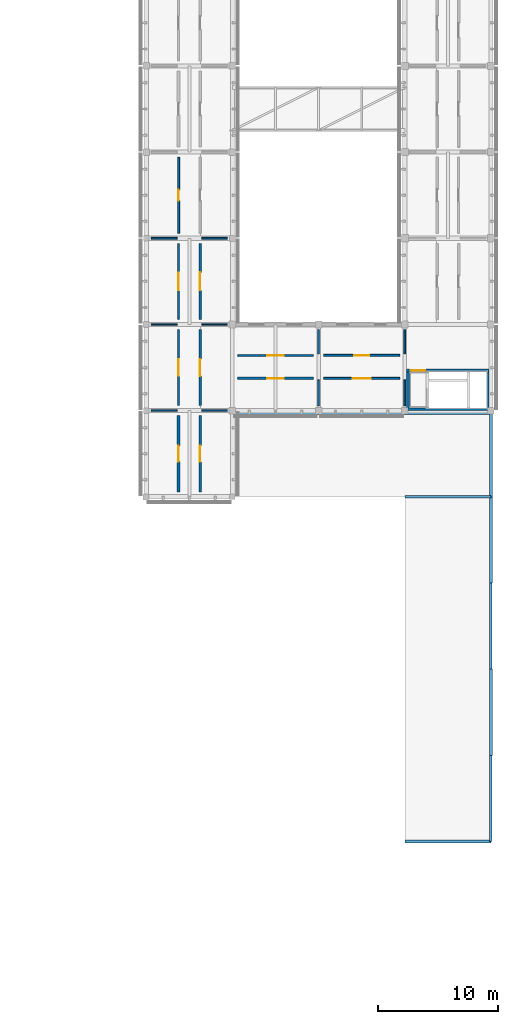
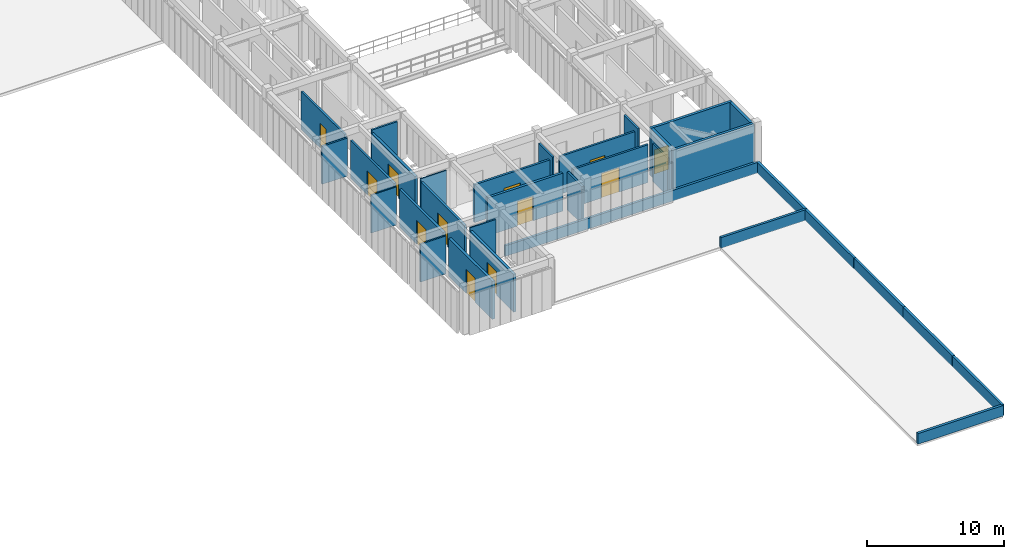
# One storey, part 78 of 91: 33 walls, 12 doors, 12 openings.
"""IFC4 building model written with IfcOpenShell, lengths in metres."""

import ifcopenshell
import ifcopenshell.guid

model = None  # the IFC model being written
_history = None  # IfcOwnerHistory: only IFC2X3 demands one
_inside = {}  # id of a spatial element -> (the spatial element, [elements in it])
_under = {}  # id of a project, library or spatial element -> (it, [spatial elements below it])
_declared = {}  # id of a project -> (the project, [libraries it declares])
_typed = {}  # id of a type object -> (the type object, [elements of that type])
_made_of = {}  # id of a material, layer set ... -> (it, [elements and type objects made of it])


def new_model(schema):
    """Start an empty IFC model of exactly this schema.

    Asked for "IFC4X3", IfcOpenShell would pick the latest addendum, in which some entities
    have other attributes; the version numbers below select the first issue.
    IFC2X3 requires an IfcOwnerHistory on every rooted entity: one is made here for all.
    """
    global model, _history
    if schema == "IFC4X3":
        model = ifcopenshell.file(schema_version=(4, 3, 0, 0))
    else:
        model = ifcopenshell.file(schema=schema)
    _inside.clear()
    _under.clear()
    _declared.clear()
    _typed.clear()
    _made_of.clear()
    _history = None
    if model.schema == "IFC2X3":
        org = make("IfcOrganization", Name="unknown")
        user = make(
            "IfcPersonAndOrganization",
            ThePerson=make("IfcPerson", FamilyName="unknown"),
            TheOrganization=org,
        )
        app = make(
            "IfcApplication",
            ApplicationDeveloper=org,
            Version="unknown",
            ApplicationFullName="unknown",
            ApplicationIdentifier="unknown",
        )
        _history = make(
            "IfcOwnerHistory",
            OwningUser=user,
            OwningApplication=app,
            ChangeAction="ADDED",
            CreationDate=0,
        )
    return model


def make(cls, **values):
    """One entity of the class cls with the attributes given. An attribute that is None is left unset."""
    return model.create_entity(
        cls, **{name: value for name, value in values.items() if value is not None}
    )


def rooted(cls, **values):
    """An entity with a GlobalId (a new one), such as an element, a storey or a relation."""
    return make(cls, GlobalId=ifcopenshell.guid.new(), OwnerHistory=_history, **values)


def si_unit(unit_type, name, prefix=None):
    """IfcSIUnit, for example si_unit("LENGTHUNIT", "METRE", prefix="MILLI")."""
    return make("IfcSIUnit", UnitType=unit_type, Prefix=prefix, Name=name)


def assignment(units):
    """IfcUnitAssignment: the units of a project."""
    return None if units is None else make("IfcUnitAssignment", Units=units)


def point(xyz):
    """IfcCartesianPoint."""
    return None if xyz is None else make("IfcCartesianPoint", Coordinates=xyz)


def direction(xyz):
    """IfcDirection."""
    return None if xyz is None else make("IfcDirection", DirectionRatios=xyz)


def frame(location, z_axis=None, x_axis=None):
    """IfcAxis2Placement3D, a coordinate frame: its origin and axes. An axis left out is left unset."""
    return make(
        "IfcAxis2Placement3D",
        Location=point(location),
        Axis=direction(z_axis),
        RefDirection=direction(x_axis),
    )


def frame_2d(location, x_axis=None):
    """IfcAxis2Placement2D, a coordinate frame in the plane: its origin and x axis."""
    return make(
        "IfcAxis2Placement2D", Location=point(location), RefDirection=direction(x_axis)
    )


def origin():
    """The frame at (0, 0, 0) with its axes left unset."""
    return frame((0.0, 0.0, 0.0))


def place(relative_to, where):
    """IfcLocalPlacement: puts the frame where relative to a parent placement (None: the world)."""
    return make(
        "IfcLocalPlacement", PlacementRelTo=relative_to, RelativePlacement=where
    )


def context(
    kind, dimensions, precision=None, world=None, true_north=None, identifier=None
):
    """IfcGeometricRepresentationContext, for example the 3D "Model" context."""
    return make(
        "IfcGeometricRepresentationContext",
        ContextIdentifier=identifier,
        ContextType=kind,
        CoordinateSpaceDimension=dimensions,
        Precision=precision,
        WorldCoordinateSystem=world,
        TrueNorth=true_north,
    )


def subcontext(parent, identifier, kind, view, scale=None):
    """IfcGeometricRepresentationSubContext, for example "Body" below "Model"."""
    return make(
        "IfcGeometricRepresentationSubContext",
        ContextIdentifier=identifier,
        ContextType=kind,
        ParentContext=parent,
        TargetScale=scale,
        TargetView=view,
    )


def project(units=None, contexts=None):
    """IfcProject with its units and contexts."""
    return rooted(
        "IfcProject",
        Name="project",
        RepresentationContexts=contexts,
        UnitsInContext=assignment(units),
    )


def spatial(cls, under=None, at=None, **own):
    """A site, building, storey or space (cls), placed at a placement, below another one or the project."""
    s = rooted(cls, ObjectPlacement=at, **own)
    if under is not None:
        _under.setdefault(under.id(), (under, []))[1].append(s)
    return s


def profile(cls, at=None, kind="AREA", **sizes):
    """A parametric profile (cls). Its sizes go by their IFC names, for example OverallWidth=200.0."""
    return make(cls, ProfileType=kind, Position=at, **sizes)


def rectangle(**sizes):
    """IfcRectangleProfileDef."""
    return profile("IfcRectangleProfileDef", **sizes)


def extrude(swept, where, along, depth):
    """IfcExtrudedAreaSolid: the profile swept, set in the frame where, extruded along a direction by depth."""
    return make(
        "IfcExtrudedAreaSolid",
        SweptArea=swept,
        Position=where,
        ExtrudedDirection=direction(along),
        Depth=depth,
    )


def shape(context_of_items, identifier, shape_type, items):
    """IfcShapeRepresentation: the items that make up one representation, for example the "Body"."""
    return make(
        "IfcShapeRepresentation",
        ContextOfItems=context_of_items,
        RepresentationIdentifier=identifier,
        RepresentationType=shape_type,
        Items=items,
    )


def material(Name=None, Category=None):
    """IfcMaterial."""
    return make("IfcMaterial", Name=Name, Category=Category)


def layer(
    of_material, thickness, ventilated=None, Name=None, Category=None, Priority=None
):
    """IfcMaterialLayer: one layer of a wall or slab, of a material (None: an air gap)."""
    return make(
        "IfcMaterialLayer",
        Material=of_material,
        LayerThickness=thickness,
        IsVentilated=ventilated,
        Name=Name,
        Category=Category,
        Priority=Priority,
    )


def layer_set(layers, Name=None):
    """IfcMaterialLayerSet."""
    return make("IfcMaterialLayerSet", MaterialLayers=layers, LayerSetName=Name)


def made_of(thing, what):
    """Note that an element or type object is made of a material, layer set ...; save() writes the relation."""
    if what is not None:
        _made_of.setdefault(what.id(), (what, []))[1].append(thing)
    return thing


def type_object(cls, material=None, **own):
    """A type object (cls), such as IfcWallType, which elements share."""
    return made_of(rooted(cls, **own), material)


def element(
    cls,
    number,
    at=None,
    inside=None,
    cuts=None,
    type_object=None,
    material=None,
    context=None,
    identifier="Body",
    shape_type=None,
    held_by="IfcProductDefinitionShape",
    body=None,
    shapes=None,
    **own,
):
    """One element of the class cls, such as IfcWall. Its Tag is "e" and its number.

    at: its placement. inside: the storey or other place that contains it. cuts: it is an
    opening in that element (IfcRelVoidsElement). A single representation is given by context,
    identifier, shape_type and body (its items); several are given by shapes. held_by: the class
    of the entity that holds the representations. save() writes the other relations.
    """
    e = rooted(cls, Tag="e%d" % number, ObjectPlacement=at, **own)
    if body is not None:
        shapes = [shape(context, identifier, shape_type, body)]
    if shapes is not None:
        e.Representation = make(held_by, Representations=shapes)
    if inside is not None:
        _inside.setdefault(inside.id(), (inside, []))[1].append(e)
    if cuts is not None:
        rooted(
            "IfcRelVoidsElement", RelatingBuildingElement=cuts, RelatedOpeningElement=e
        )
    if type_object is not None:
        _typed.setdefault(type_object.id(), (type_object, []))[1].append(e)
    return made_of(e, material)


def fill(opening, filler):
    """IfcRelFillsElement: the door or window that sits in an opening."""
    return rooted(
        "IfcRelFillsElement",
        RelatingOpeningElement=opening,
        RelatedBuildingElement=filler,
    )


def aggregate(whole, parts):
    """IfcRelAggregates: a whole, such as a stair, and the parts it consists of."""
    return rooted("IfcRelAggregates", RelatingObject=whole, RelatedObjects=parts)


def save(model, path):
    """Write the relations noted so far, then the file.

    IfcRelAggregates (storeys below a building ...), IfcRelContainedInSpatialStructure (elements
    in a storey), IfcRelDefinesByType, IfcRelAssociatesMaterial and IfcRelDeclares: one each for
    every whole, place, type object, material and project.
    """
    for whole, parts in _under.values():
        aggregate(whole, parts)
    for where, things in _inside.values():
        rooted(
            "IfcRelContainedInSpatialStructure",
            RelatedElements=things,
            RelatingStructure=where,
        )
    for kind, things in _typed.values():
        rooted("IfcRelDefinesByType", RelatedObjects=things, RelatingType=kind)
    for what, things in _made_of.values():
        rooted("IfcRelAssociatesMaterial", RelatedObjects=things, RelatingMaterial=what)
    for by, libraries in _declared.values():
        rooted("IfcRelDeclares", RelatingContext=by, RelatedDefinitions=libraries)
    model.write(path)


model = new_model("IFC4")

# Units and contexts
model_context = context("Model", 3, precision=1e-05, world=origin(), true_north=direction((0.0, 1.0)))
body_context = subcontext(model_context, "Body", "Model", "MODEL_VIEW")
ifc_project = project(units=[si_unit("LENGTHUNIT", "METRE"), si_unit("AREAUNIT", "SQUARE_METRE"), si_unit("VOLUMEUNIT", "CUBIC_METRE"), si_unit("PLANEANGLEUNIT", "RADIAN"), si_unit("MASSUNIT", "GRAM", prefix="KILO")], contexts=[model_context])

# Site, building, storey
site_placement = place(None, origin())
site = spatial("IfcSite", under=ifc_project, at=site_placement, CompositionType="ELEMENT")
building_placement = place(site_placement, origin())
building = spatial("IfcBuilding", under=site, at=building_placement, Name="Aldebral Square Health Centre", CompositionType="ELEMENT")
storey_placement = place(building_placement, frame((0.0, 0.0, 9.0)))
storey = spatial("IfcBuildingStorey", under=building, at=storey_placement, Name="L02", CompositionType="ELEMENT", Elevation=9.0)

# Walls
ifc_material_1 = material(Name="Cream cantera stone parapet", Category="masonry")
ifc_layer_1 = layer(ifc_material_1, 0.199951171875, Name="Cream cantera stone parapet", Category="masonry")
ifc_layer_set_1 = layer_set([ifc_layer_1], Name="Cream cantera stone parapet")
wall_type_1 = type_object("IfcWallType", Name="EW-PAR-200", PredefinedType="PARAPET", material=ifc_layer_set_1)
wall_1_placement = place(storey_placement, frame((158.39990234375, 50.39990234375, 0.0), z_axis=(0.0, 0.0, 1.0), x_axis=(1.0, 0.0, 0.0)))
element("IfcWall", 1, at=wall_1_placement, inside=storey, type_object=wall_type_1, Name="Roof parapet 01", PredefinedType="PARAPET", context=body_context, shape_type="SweptSolid", body=[
    extrude(rectangle(XDim=7.2001953125, YDim=0.199951171875, at=frame_2d((3.60009765625, 0.0))), origin(), (0.0, 0.0, 1.0), 0.949951171875),
])
for number, where, z_axis, x_axis, name in (
    (2, (165.60009765625, 43.199951171875, 0.0), (0.0, 0.0, 1.0), (0.0, -1.0, 0.0), "Roof parapet 03"),
    (3, (165.60009765625, 28.800048828125, 0.0), (0.0, 0.0, 1.0), (0.0, -1.0, 0.0), "Roof parapet 05"),
):
    element("IfcWall", number, at=place(storey_placement, frame(where, z_axis=z_axis, x_axis=x_axis)), inside=storey, type_object=wall_type_1, Name=name, PredefinedType="PARAPET", context=body_context, shape_type="SweptSolid", body=[
        extrude(rectangle(XDim=7.199951171875, YDim=0.199951171875, at=frame_2d((3.60009765625, 0.0))), origin(), (0.0, 0.0, 1.0), 0.949951171875),
    ])
wall_2_placement = place(storey_placement, frame((144.219970703125, 57.3798828125, 0.0), z_axis=(0.0, 0.0, 1.0), x_axis=(1.0, 0.0, 0.0)))
element("IfcWall", 4, at=wall_2_placement, inside=storey, type_object=wall_type_1, Name="Roof parapet 07", PredefinedType="PARAPET", context=body_context, shape_type="SweptSolid", body=[
    extrude(rectangle(XDim=21.380126953125, YDim=0.199951171875, at=frame_2d((10.68994140625, 0.0))), origin(), (0.0, 0.0, 1.0), 0.949951171875),
])
ifc_material_2 = material(Name="Precast concrete C40/50 parapet", Category="concrete")
ifc_layer_2 = layer(ifc_material_2, 0.219970703125, Name="Precast concrete C40/50 parapet", Category="concrete")
ifc_layer_set_2 = layer_set([ifc_layer_2], Name="Precast concrete C40/50 parapet")
wall_type_2 = type_object("IfcWallType", Name="EW-PAR-220", PredefinedType="PARAPET", material=ifc_layer_set_2)
for number, where, z_axis, x_axis, name in (
    (5, (165.60009765625, 50.39990234375, 0.0), (0.0, 0.0, 1.0), (0.0, -1.0, 0.0), "Roof parapet 02"),
    (6, (165.60009765625, 36.0, 0.0), (0.0, 0.0, 1.0), (0.0, -1.0, 0.0), "Roof parapet 04"),
):
    element("IfcWall", number, at=place(storey_placement, frame(where, z_axis=z_axis, x_axis=x_axis)), inside=storey, type_object=wall_type_2, Name=name, PredefinedType="PARAPET", context=body_context, shape_type="SweptSolid", body=[
        extrude(rectangle(XDim=7.199951171875, YDim=0.219970703125, at=frame_2d((3.60009765625, 0.0))), origin(), (0.0, 0.0, 1.0), 0.949951171875),
    ])
wall_3_placement = place(storey_placement, frame((165.60009765625, 21.60009765625, 0.0), z_axis=(0.0, 0.0, 1.0), x_axis=(-1.0, 0.0, 0.0)))
element("IfcWall", 7, at=wall_3_placement, inside=storey, type_object=wall_type_2, Name="Roof parapet 06", PredefinedType="PARAPET", context=body_context, shape_type="SweptSolid", body=[
    extrude(rectangle(XDim=7.2001953125, YDim=0.219970703125, at=frame_2d((3.60009765625, 0.0))), origin(), (0.0, 0.0, 1.0), 0.949951171875),
])
wall_4_placement = place(storey_placement, frame((165.60009765625, 57.3798828125, 0.0), z_axis=(0.0, 0.0, 1.0), x_axis=(0.0, -1.0, 0.0)))
element("IfcWall", 8, at=wall_4_placement, inside=storey, type_object=wall_type_2, Name="Roof parapet 08", PredefinedType="PARAPET", context=body_context, shape_type="SweptSolid", body=[
    extrude(rectangle(XDim=6.97998046875, YDim=0.219970703125, at=frame_2d((3.489990234375, 0.0))), origin(), (0.0, 0.0, 1.0), 0.949951171875),
])

# Wall, opening, door
ifc_material_3 = material(Name="Concrete C35/45 compartment wall", Category="concrete")
ifc_layer_3 = layer(ifc_material_3, 0.199951171875, Name="Concrete C35/45 compartment wall", Category="concrete")
ifc_layer_set_3 = layer_set([ifc_layer_3], Name="Concrete C35/45 compartment wall")
wall_type_3 = type_object("IfcWallType", Name="IW-CMP-200", PredefinedType="SOLIDWALL", material=ifc_layer_set_3)
wall_5_placement = place(storey_placement, frame((139.5, 58.02001953125, 0.0), z_axis=(0.0, 0.0, 1.0), x_axis=(0.0, 1.0, 0.0)))
wall_5 = element("IfcWall", 9, at=wall_5_placement, inside=storey, type_object=wall_type_3, Name="L02 Dermatology Procedure Clinic 20.9W corridor wall", PredefinedType="SOLIDWALL", context=body_context, shape_type="SweptSolid", body=[
    extrude(rectangle(XDim=6.35986328125, YDim=0.199951171875, at=frame_2d((3.179931640625, 0.0))), origin(), (0.0, 0.0, 1.0), 3.3798828125),
])
opening_1_placement = place(wall_5_placement, frame((2.489990234375, 0.0, 0.0)))
opening_1 = element("IfcOpeningElement", 10, at=opening_1_placement, cuts=wall_5, Name="Opening D-0473", PredefinedType="OPENING", context=body_context, shape_type="SweptSolid", body=[
    extrude(rectangle(XDim=1.3798828125, YDim=2.139892578125, at=frame_2d((0.68994140625, 1.06982421875))), frame((0.0, 0.10986328125, 0.0), z_axis=(0.0, -1.0, 0.0), x_axis=(1.0, 0.0, 0.0)), (0.0, 0.0, 1.0), 0.219970703125),
])
ifc_material_4 = material(Name="Clinical suite fire door")
door_type_1 = type_object("IfcDoorType", Name="ID-EXD-44", OperationType="NOTDEFINED", PredefinedType="DOOR", material=ifc_material_4)
door_1_placement = place(opening_1_placement, origin())
door_1 = element("IfcDoor", 11, at=door_1_placement, inside=storey, type_object=door_type_1, Name="L02 Dermatology Procedure Clinic 20.9W door", OperationType="SINGLE_SWING_RIGHT", OverallHeight=2.139892578125, OverallWidth=1.3798828125, PredefinedType="DOOR", context=body_context, shape_type="SweptSolid", body=[
    extrude(rectangle(XDim=1.3798828125, YDim=2.139892578125, at=frame_2d((0.68994140625, 1.06982421875))), frame((0.0, 0.02490234375, 0.0), z_axis=(0.0, -1.0, 0.0), x_axis=(1.0, 0.0, 0.0)), (0.0, 0.0, 1.0), 0.050048828125),
])
fill(opening_1, door_1)

wall_6_placement = place(storey_placement, frame((141.300048828125, 58.02001953125, 0.0), z_axis=(0.0, 0.0, 1.0), x_axis=(0.0, 1.0, 0.0)))
wall_6 = element("IfcWall", 12, at=wall_6_placement, inside=storey, type_object=wall_type_3, Name="L02 Orthopaedic Cast Clinic 20.9E corridor wall", PredefinedType="SOLIDWALL", context=body_context, shape_type="SweptSolid", body=[
    extrude(rectangle(XDim=6.35986328125, YDim=0.199951171875, at=frame_2d((3.179931640625, 0.0))), origin(), (0.0, 0.0, 1.0), 3.3798828125),
])
opening_2_placement = place(wall_6_placement, frame((2.469970703125, 0.0, 0.0)))
opening_2 = element("IfcOpeningElement", 13, at=opening_2_placement, cuts=wall_6, Name="Opening D-0474", PredefinedType="OPENING", context=body_context, shape_type="SweptSolid", body=[
    extrude(rectangle(XDim=1.419921875, YDim=2.139892578125, at=frame_2d((0.7099609375, 1.06982421875))), frame((0.0, 0.10986328125, 0.0), z_axis=(0.0, -1.0, 0.0), x_axis=(1.0, 0.0, 0.0)), (0.0, 0.0, 1.0), 0.219970703125),
])
door_type_2 = type_object("IfcDoorType", Name="ID-EXD-45", OperationType="NOTDEFINED", PredefinedType="DOOR", material=ifc_material_4)
door_2_placement = place(opening_2_placement, origin())
door_2 = element("IfcDoor", 14, at=door_2_placement, inside=storey, type_object=door_type_2, Name="L02 Orthopaedic Cast Clinic 20.9E door", OperationType="SINGLE_SWING_LEFT", OverallHeight=2.139892578125, OverallWidth=1.419921875, PredefinedType="DOOR", context=body_context, shape_type="SweptSolid", body=[
    extrude(rectangle(XDim=1.419921875, YDim=2.139892578125, at=frame_2d((0.7099609375, 1.06982421875))), frame((0.0, 0.02490234375, 0.0), z_axis=(0.0, -1.0, 0.0), x_axis=(1.0, 0.0, 0.0)), (0.0, 0.0, 1.0), 0.050048828125),
])
fill(opening_2, door_2)

ifc_layer_4 = layer(ifc_material_3, 0.219970703125, Name="Concrete C35/45 compartment wall", Category="concrete")
ifc_layer_set_4 = layer_set([ifc_layer_4], Name="Concrete C35/45 compartment wall")
wall_type_4 = type_object("IfcWallType", Name="IW-CMP-220", PredefinedType="SOLIDWALL", material=ifc_layer_set_4)
wall_7_placement = place(storey_placement, frame((139.5, 50.820068359375, 0.0), z_axis=(0.0, 0.0, 1.0), x_axis=(0.0, 1.0, 0.0)))
wall_7 = element("IfcWall", 15, at=wall_7_placement, inside=storey, type_object=wall_type_4, Name="L02 Specialist Clinic 20.8W corridor wall", PredefinedType="SOLIDWALL", context=body_context, shape_type="SweptSolid", body=[
    extrude(rectangle(XDim=6.35986328125, YDim=0.219970703125, at=frame_2d((3.179931640625, 0.0))), origin(), (0.0, 0.0, 1.0), 3.3798828125),
])
opening_3_placement = place(wall_7_placement, frame((2.530029296875, 0.0, 0.0)))
opening_3 = element("IfcOpeningElement", 16, at=opening_3_placement, cuts=wall_7, Name="Opening D-0471", PredefinedType="OPENING", context=body_context, shape_type="SweptSolid", body=[
    extrude(rectangle(XDim=1.300048828125, YDim=2.139892578125, at=frame_2d((0.64990234375, 1.06982421875))), frame((0.0, 0.1201171875, 0.0), z_axis=(0.0, -1.0, 0.0), x_axis=(1.0, 0.0, 0.0)), (0.0, 0.0, 1.0), 0.239990234375),
])
door_type_3 = type_object("IfcDoorType", Name="ID-EXD-42", OperationType="NOTDEFINED", PredefinedType="DOOR", material=ifc_material_4)
door_3_placement = place(opening_3_placement, origin())
door_3 = element("IfcDoor", 17, at=door_3_placement, inside=storey, type_object=door_type_3, Name="L02 Specialist Clinic 20.8W door", OperationType="SINGLE_SWING_RIGHT", OverallHeight=2.139892578125, OverallWidth=1.300048828125, PredefinedType="DOOR", context=body_context, shape_type="SweptSolid", body=[
    extrude(rectangle(XDim=1.300048828125, YDim=2.139892578125, at=frame_2d((0.64990234375, 1.06982421875))), frame((0.0, 0.02490234375, 0.0), z_axis=(0.0, -1.0, 0.0), x_axis=(1.0, 0.0, 0.0)), (0.0, 0.0, 1.0), 0.050048828125),
])
fill(opening_3, door_3)

wall_8_placement = place(storey_placement, frame((141.300048828125, 50.820068359375, 0.0), z_axis=(0.0, 0.0, 1.0), x_axis=(0.0, 1.0, 0.0)))
wall_8 = element("IfcWall", 18, at=wall_8_placement, inside=storey, type_object=wall_type_4, Name="L02 Ophthalmology Exam Suite 20.8E corridor wall", PredefinedType="SOLIDWALL", context=body_context, shape_type="SweptSolid", body=[
    extrude(rectangle(XDim=6.35986328125, YDim=0.219970703125, at=frame_2d((3.179931640625, 0.0))), origin(), (0.0, 0.0, 1.0), 3.3798828125),
])
opening_4_placement = place(wall_8_placement, frame((2.510009765625, 0.0, 0.0)))
opening_4 = element("IfcOpeningElement", 19, at=opening_4_placement, cuts=wall_8, Name="Opening D-0472", PredefinedType="OPENING", context=body_context, shape_type="SweptSolid", body=[
    extrude(rectangle(XDim=1.340087890625, YDim=2.139892578125, at=frame_2d((0.669921875, 1.06982421875))), frame((0.0, 0.1201171875, 0.0), z_axis=(0.0, -1.0, 0.0), x_axis=(1.0, 0.0, 0.0)), (0.0, 0.0, 1.0), 0.239990234375),
])
door_type_4 = type_object("IfcDoorType", Name="ID-EXD-43", OperationType="NOTDEFINED", PredefinedType="DOOR", material=ifc_material_4)
door_4_placement = place(opening_4_placement, origin())
door_4 = element("IfcDoor", 20, at=door_4_placement, inside=storey, type_object=door_type_4, Name="L02 Ophthalmology Exam Suite 20.8E door", OperationType="SINGLE_SWING_LEFT", OverallHeight=2.139892578125, OverallWidth=1.340087890625, PredefinedType="DOOR", context=body_context, shape_type="SweptSolid", body=[
    extrude(rectangle(XDim=1.340087890625, YDim=2.139892578125, at=frame_2d((0.669921875, 1.06982421875))), frame((0.0, 0.02490234375, 0.0), z_axis=(0.0, -1.0, 0.0), x_axis=(1.0, 0.0, 0.0)), (0.0, 0.0, 1.0), 0.050048828125),
])
fill(opening_4, door_4)

ifc_material_5 = material(Name="Fire-rated acoustic gypsum partition")
ifc_layer_5 = layer(ifc_material_5, 0.1650390625, Name="Fire-rated acoustic gypsum partition")
ifc_layer_set_5 = layer_set([ifc_layer_5], Name="Fire-rated acoustic gypsum partition")
wall_type_5 = type_object("IfcWallType", Name="IW-COR-165", PredefinedType="PARTITIONING", material=ifc_layer_set_5)
wall_9_placement = place(storey_placement, frame((139.5, 72.419921875, 0.0), z_axis=(0.0, 0.0, 1.0), x_axis=(0.0, 1.0, 0.0)))
wall_9 = element("IfcWall", 21, at=wall_9_placement, inside=storey, type_object=wall_type_5, Name="L02 Specialist Clinic 20.11W corridor wall", PredefinedType="PARTITIONING", context=body_context, shape_type="SweptSolid", body=[
    extrude(rectangle(XDim=6.360107421875, YDim=0.1650390625, at=frame_2d((3.18017578125, 0.0))), origin(), (0.0, 0.0, 1.0), 3.3798828125),
])
opening_5_placement = place(wall_9_placement, frame((2.72998046875, 0.0, 0.0)))
opening_5 = element("IfcOpeningElement", 22, at=opening_5_placement, cuts=wall_9, Name="Opening D-0477", PredefinedType="OPENING", context=body_context, shape_type="SweptSolid", body=[
    extrude(rectangle(XDim=0.89990234375, YDim=2.18994140625, at=frame_2d((0.449951171875, 1.094970703125))), frame((0.0, 0.092529296875, 0.0), z_axis=(0.0, -1.0, 0.0), x_axis=(1.0, 0.0, 0.0)), (0.0, 0.0, 1.0), 0.18505859375),
])
door_type_5 = type_object("IfcDoorType", Name="ID-EXD-48", OperationType="NOTDEFINED", PredefinedType="DOOR", material=ifc_material_4)
door_5_placement = place(opening_5_placement, origin())
door_5 = element("IfcDoor", 23, at=door_5_placement, inside=storey, type_object=door_type_5, Name="L02 Specialist Clinic 20.11W door", OperationType="SINGLE_SWING_RIGHT", OverallHeight=2.18994140625, OverallWidth=0.89990234375, PredefinedType="DOOR", context=body_context, shape_type="SweptSolid", body=[
    extrude(rectangle(XDim=0.89990234375, YDim=2.18994140625, at=frame_2d((0.449951171875, 1.094970703125))), frame((0.0, 0.02490234375, 0.0), z_axis=(0.0, -1.0, 0.0), x_axis=(1.0, 0.0, 0.0)), (0.0, 0.0, 1.0), 0.050048828125),
])
fill(opening_5, door_5)

wall_10_placement = place(storey_placement, frame((151.6201171875, 60.300048828125, 0.0), z_axis=(0.0, 0.0, 1.0), x_axis=(1.0, 0.0, 0.0)))
wall_10 = element("IfcWall", 24, at=wall_10_placement, inside=storey, type_object=wall_type_5, Name="L02 Orthopaedic Cast Clinic 22.9S corridor wall", PredefinedType="PARTITIONING", context=body_context, shape_type="SweptSolid", body=[
    extrude(rectangle(XDim=6.35986328125, YDim=0.1650390625, at=frame_2d((3.179931640625, 0.0))), origin(), (0.0, 0.0, 1.0), 3.3798828125),
])
opening_6_placement = place(wall_10_placement, frame((2.429931640625, 0.0, 0.0)))
opening_6 = element("IfcOpeningElement", 25, at=opening_6_placement, cuts=wall_10, Name="Opening D-0492", PredefinedType="OPENING", context=body_context, shape_type="SweptSolid", body=[
    extrude(rectangle(XDim=1.5, YDim=2.18994140625, at=frame_2d((0.75, 1.094970703125))), frame((0.0, 0.092529296875, 0.0), z_axis=(0.0, -1.0, 0.0), x_axis=(1.0, 0.0, 0.0)), (0.0, 0.0, 1.0), 0.18505859375),
])
door_type_6 = type_object("IfcDoorType", Name="ID-EXD-63", OperationType="NOTDEFINED", PredefinedType="DOOR", material=ifc_material_4)
door_6_placement = place(opening_6_placement, origin())
door_6 = element("IfcDoor", 26, at=door_6_placement, inside=storey, type_object=door_type_6, Name="L02 Orthopaedic Cast Clinic 22.9S door", OperationType="SINGLE_SWING_LEFT", OverallHeight=2.18994140625, OverallWidth=1.5, PredefinedType="DOOR", context=body_context, shape_type="SweptSolid", body=[
    extrude(rectangle(XDim=1.5, YDim=2.18994140625, at=frame_2d((0.75, 1.094970703125))), frame((0.0, 0.02490234375, 0.0), z_axis=(0.0, -1.0, 0.0), x_axis=(1.0, 0.0, 0.0)), (0.0, 0.0, 1.0), 0.050048828125),
])
fill(opening_6, door_6)

wall_11_placement = place(storey_placement, frame((151.6201171875, 62.219970703125, 0.0), z_axis=(0.0, 0.0, 1.0), x_axis=(1.0, 0.0, 0.0)))
wall_11 = element("IfcWall", 27, at=wall_11_placement, inside=storey, type_object=wall_type_5, Name="L02 Clean Linen Store 22.9N corridor wall", PredefinedType="PARTITIONING", context=body_context, shape_type="SweptSolid", body=[
    extrude(rectangle(XDim=6.35986328125, YDim=0.1650390625, at=frame_2d((3.179931640625, 0.0))), origin(), (0.0, 0.0, 1.0), 3.3798828125),
])
opening_7_placement = place(wall_11_placement, frame((2.554931640625, 0.0, 0.0)))
opening_7 = element("IfcOpeningElement", 28, at=opening_7_placement, cuts=wall_11, Name="Opening D-0493", PredefinedType="OPENING", context=body_context, shape_type="SweptSolid", body=[
    extrude(rectangle(XDim=1.25, YDim=2.14990234375, at=frame_2d((0.625, 1.074951171875))), frame((0.0, 0.092529296875, 0.0), z_axis=(0.0, -1.0, 0.0), x_axis=(1.0, 0.0, 0.0)), (0.0, 0.0, 1.0), 0.18505859375),
])
ifc_material_6 = material(Name="Stainless steel surgical lift landing door", Category="steel")
door_type_7 = type_object("IfcDoorType", Name="ID-LD-125", OperationType="SLIDING_TO_LEFT", PredefinedType="DOOR", material=ifc_material_6)
door_7_placement = place(opening_7_placement, origin())
door_7 = element("IfcDoor", 29, at=door_7_placement, inside=storey, type_object=door_type_7, Name="L02 Clean Linen Store 22.9N door", OperationType="SINGLE_SWING_RIGHT", OverallHeight=2.14990234375, OverallWidth=1.25, PredefinedType="DOOR", context=body_context, shape_type="SweptSolid", body=[
    extrude(rectangle(XDim=1.25, YDim=2.14990234375, at=frame_2d((0.625, 1.074951171875))), frame((0.0, 0.02490234375, 0.0), z_axis=(0.0, -1.0, 0.0), x_axis=(1.0, 0.0, 0.0)), (0.0, 0.0, 1.0), 0.050048828125),
])
fill(opening_7, door_7)

ifc_layer_6 = layer(ifc_material_5, 0.179931640625, Name="Fire-rated acoustic gypsum partition")
ifc_layer_set_6 = layer_set([ifc_layer_6], Name="Fire-rated acoustic gypsum partition")
wall_type_6 = type_object("IfcWallType", Name="IW-COR-180", PredefinedType="PARTITIONING", material=ifc_layer_set_6)
wall_12_placement = place(storey_placement, frame((139.5, 65.219970703125, 0.0), z_axis=(0.0, 0.0, 1.0), x_axis=(0.0, 1.0, 0.0)))
wall_12 = element("IfcWall", 30, at=wall_12_placement, inside=storey, type_object=wall_type_6, Name="L02 Clean Linen Store 20.10W corridor wall", PredefinedType="PARTITIONING", context=body_context, shape_type="SweptSolid", body=[
    extrude(rectangle(XDim=6.360107421875, YDim=0.179931640625, at=frame_2d((3.18017578125, 0.0))), origin(), (0.0, 0.0, 1.0), 3.3798828125),
])
opening_8_placement = place(wall_12_placement, frame((2.449951171875, 0.0, 0.0)))
opening_8 = element("IfcOpeningElement", 31, at=opening_8_placement, cuts=wall_12, Name="Opening D-0475", PredefinedType="OPENING", context=body_context, shape_type="SweptSolid", body=[
    extrude(rectangle(XDim=1.4599609375, YDim=2.139892578125, at=frame_2d((0.72998046875, 1.06982421875))), frame((0.0, 0.10009765625, 0.0), z_axis=(0.0, -1.0, 0.0), x_axis=(1.0, 0.0, 0.0)), (0.0, 0.0, 1.0), 0.199951171875),
])
door_type_8 = type_object("IfcDoorType", Name="ID-EXD-46", OperationType="NOTDEFINED", PredefinedType="DOOR", material=ifc_material_4)
door_8_placement = place(opening_8_placement, origin())
door_8 = element("IfcDoor", 32, at=door_8_placement, inside=storey, type_object=door_type_8, Name="L02 Clean Linen Store 20.10W door", OperationType="SINGLE_SWING_RIGHT", OverallHeight=2.139892578125, OverallWidth=1.4599609375, PredefinedType="DOOR", context=body_context, shape_type="SweptSolid", body=[
    extrude(rectangle(XDim=1.4599609375, YDim=2.139892578125, at=frame_2d((0.72998046875, 1.06982421875))), frame((0.0, 0.02490234375, 0.0), z_axis=(0.0, -1.0, 0.0), x_axis=(1.0, 0.0, 0.0)), (0.0, 0.0, 1.0), 0.050048828125),
])
fill(opening_8, door_8)

wall_13_placement = place(storey_placement, frame((144.419921875, 62.219970703125, 0.0), z_axis=(0.0, 0.0, 1.0), x_axis=(1.0, 0.0, 0.0)))
wall_13 = element("IfcWall", 33, at=wall_13_placement, inside=storey, type_object=wall_type_6, Name="L02 Specialist Clinic 21.9N corridor wall", PredefinedType="PARTITIONING", context=body_context, shape_type="SweptSolid", body=[
    extrude(rectangle(XDim=6.360107421875, YDim=0.179931640625, at=frame_2d((3.18017578125, 0.0))), origin(), (0.0, 0.0, 1.0), 3.3798828125),
])
opening_9_placement = place(wall_13_placement, frame((2.489990234375, 0.0, 0.0)))
opening_9 = element("IfcOpeningElement", 34, at=opening_9_placement, cuts=wall_13, Name="Opening D-0489", PredefinedType="OPENING", context=body_context, shape_type="SweptSolid", body=[
    extrude(rectangle(XDim=1.3798828125, YDim=2.18994140625, at=frame_2d((0.68994140625, 1.094970703125))), frame((0.0, 0.10009765625, 0.0), z_axis=(0.0, -1.0, 0.0), x_axis=(1.0, 0.0, 0.0)), (0.0, 0.0, 1.0), 0.199951171875),
])
door_type_9 = type_object("IfcDoorType", Name="ID-EXD-60", OperationType="NOTDEFINED", PredefinedType="DOOR", material=ifc_material_4)
door_9_placement = place(opening_9_placement, origin())
door_9 = element("IfcDoor", 35, at=door_9_placement, inside=storey, type_object=door_type_9, Name="L02 Specialist Clinic 21.9N door", OperationType="SINGLE_SWING_RIGHT", OverallHeight=2.18994140625, OverallWidth=1.3798828125, PredefinedType="DOOR", context=body_context, shape_type="SweptSolid", body=[
    extrude(rectangle(XDim=1.3798828125, YDim=2.18994140625, at=frame_2d((0.68994140625, 1.094970703125))), frame((0.0, 0.02490234375, 0.0), z_axis=(0.0, -1.0, 0.0), x_axis=(1.0, 0.0, 0.0)), (0.0, 0.0, 1.0), 0.050048828125),
])
fill(opening_9, door_9)

# Wall
ifc_material_7 = material(Name="Concrete C40/50", Category="concrete")
ifc_layer_7 = layer(ifc_material_7, 0.219970703125, Name="Concrete C40/50", Category="concrete")
ifc_layer_set_7 = layer_set([ifc_layer_7], Name="Concrete C40/50")
wall_type_7 = type_object("IfcWallType", Name="IW-CORE-280", PredefinedType="SHEAR", material=ifc_layer_set_7)
wall_14_placement = place(storey_placement, frame((158.56005859375, 57.72998046875, 0.0), z_axis=(0.0, 0.0, 1.0), x_axis=(1.0, 0.0, 0.0)))
element("IfcWall", 36, at=wall_14_placement, inside=storey, type_object=wall_type_7, Name="L02 WS-S9 shaft wall S", PredefinedType="SHEAR", context=body_context, shape_type="SweptSolid", body=[
    extrude(rectangle(XDim=6.8798828125, YDim=0.219970703125, at=frame_2d((3.43994140625, 0.0))), origin(), (0.0, 0.0, 1.0), 4.239990234375),
])

# Wall, opening, door
wall_15_placement = place(storey_placement, frame((158.56005859375, 60.949951171875, 0.0), z_axis=(0.0, 0.0, 1.0), x_axis=(1.0, 0.0, 0.0)))
wall_15 = element("IfcWall", 37, at=wall_15_placement, inside=storey, type_object=wall_type_7, Name="L02 WS-S9 shaft wall N", PredefinedType="SHEAR", context=body_context, shape_type="SweptSolid", body=[
    extrude(rectangle(XDim=6.8798828125, YDim=0.219970703125, at=frame_2d((3.43994140625, 0.0))), origin(), (0.0, 0.0, 1.0), 4.239990234375),
])
opening_10_placement = place(wall_15_placement, frame((0.35009765625, 0.0, 0.0)))
opening_10 = element("IfcOpeningElement", 38, at=opening_10_placement, cuts=wall_15, Name="Opening D-0074", PredefinedType="OPENING", context=body_context, shape_type="SweptSolid", body=[
    extrude(rectangle(XDim=1.199951171875, YDim=2.14990234375, at=frame_2d((0.60009765625, 1.074951171875))), frame((0.0, 0.1201171875, 0.0), z_axis=(0.0, -1.0, 0.0), x_axis=(1.0, 0.0, 0.0)), (0.0, 0.0, 1.0), 0.239990234375),
])
ifc_material_8 = material(Name="Fire-rated steel stair door", Category="steel")
door_type_10 = type_object("IfcDoorType", Name="ID-ST-120", OperationType="NOTDEFINED", PredefinedType="DOOR", material=ifc_material_8)
door_10_placement = place(opening_10_placement, origin())
door_10 = element("IfcDoor", 39, at=door_10_placement, inside=storey, type_object=door_type_10, Name="L02 ST-09 fire door", OperationType="SINGLE_SWING_RIGHT", OverallHeight=2.14990234375, OverallWidth=1.199951171875, PredefinedType="DOOR", context=body_context, shape_type="SweptSolid", body=[
    extrude(rectangle(XDim=1.199951171875, YDim=2.14990234375, at=frame_2d((0.60009765625, 1.074951171875))), frame((0.0, 0.02490234375, 0.0), z_axis=(0.0, -1.0, 0.0), x_axis=(1.0, 0.0, 0.0)), (0.0, 0.0, 1.0), 0.050048828125),
])
fill(opening_10, door_10)

# Walls
for number, where, z_axis, x_axis, name in (
    (40, (158.669921875, 57.840087890625, 0.0), (0.0, 0.0, 1.0), (0.0, 1.0, 0.0), "L02 WS-S9 shaft wall W"),
    (41, (165.330078125, 57.840087890625, 0.0), (0.0, 0.0, 1.0), (0.0, 1.0, 0.0), "L02 WS-S9 shaft wall E"),
):
    element("IfcWall", number, at=place(storey_placement, frame(where, z_axis=z_axis, x_axis=x_axis)), inside=storey, type_object=wall_type_7, Name=name, PredefinedType="SHEAR", context=body_context, shape_type="SweptSolid", body=[
        extrude(rectangle(XDim=3.0, YDim=0.219970703125, at=frame_2d((1.5, 0.0))), origin(), (0.0, 0.0, 1.0), 4.239990234375),
    ])

# Wall, opening, door
ifc_material_9 = material(Name="Moisture-resistant sanitary chase wall")
ifc_layer_8 = layer(ifc_material_9, 0.2099609375, Name="Moisture-resistant sanitary chase wall")
ifc_layer_set_8 = layer_set([ifc_layer_8], Name="Moisture-resistant sanitary chase wall")
wall_type_8 = type_object("IfcWallType", Name="IW-PLB-210", PredefinedType="PLUMBINGWALL", material=ifc_layer_set_8)
wall_16_placement = place(storey_placement, frame((141.300048828125, 65.219970703125, 0.0), z_axis=(0.0, 0.0, 1.0), x_axis=(0.0, 1.0, 0.0)))
wall_16 = element("IfcWall", 42, at=wall_16_placement, inside=storey, type_object=wall_type_8, Name="L02 Accessible WC 20.10E corridor wall", PredefinedType="PLUMBINGWALL", context=body_context, shape_type="SweptSolid", body=[
    extrude(rectangle(XDim=6.360107421875, YDim=0.2099609375, at=frame_2d((3.18017578125, 0.0))), origin(), (0.0, 0.0, 1.0), 3.3798828125),
])
opening_11_placement = place(wall_16_placement, frame((2.429931640625, 0.0, 0.0)))
opening_11 = element("IfcOpeningElement", 43, at=opening_11_placement, cuts=wall_16, Name="Opening D-0476", PredefinedType="OPENING", context=body_context, shape_type="SweptSolid", body=[
    extrude(rectangle(XDim=1.5, YDim=2.139892578125, at=frame_2d((0.75, 1.06982421875))), frame((0.0, 0.114990234375, 0.0), z_axis=(0.0, -1.0, 0.0), x_axis=(1.0, 0.0, 0.0)), (0.0, 0.0, 1.0), 0.22998046875),
])
door_type_11 = type_object("IfcDoorType", Name="ID-EXD-47", OperationType="NOTDEFINED", PredefinedType="DOOR", material=ifc_material_4)
door_11_placement = place(opening_11_placement, origin())
door_11 = element("IfcDoor", 44, at=door_11_placement, inside=storey, type_object=door_type_11, Name="L02 Accessible WC 20.10E door", OperationType="SINGLE_SWING_LEFT", OverallHeight=2.139892578125, OverallWidth=1.5, PredefinedType="DOOR", context=body_context, shape_type="SweptSolid", body=[
    extrude(rectangle(XDim=1.5, YDim=2.139892578125, at=frame_2d((0.75, 1.06982421875))), frame((0.0, 0.02490234375, 0.0), z_axis=(0.0, -1.0, 0.0), x_axis=(1.0, 0.0, 0.0)), (0.0, 0.0, 1.0), 0.050048828125),
])
fill(opening_11, door_11)

wall_17_placement = place(storey_placement, frame((144.419921875, 60.300048828125, 0.0), z_axis=(0.0, 0.0, 1.0), x_axis=(1.0, 0.0, 0.0)))
wall_17 = element("IfcWall", 45, at=wall_17_placement, inside=storey, type_object=wall_type_8, Name="L02 Accessible WC 21.9S corridor wall", PredefinedType="PLUMBINGWALL", context=body_context, shape_type="SweptSolid", body=[
    extrude(rectangle(XDim=6.360107421875, YDim=0.2099609375, at=frame_2d((3.18017578125, 0.0))), origin(), (0.0, 0.0, 1.0), 3.3798828125),
])
opening_12_placement = place(wall_17_placement, frame((2.510009765625, 0.0, 0.0)))
opening_12 = element("IfcOpeningElement", 46, at=opening_12_placement, cuts=wall_17, Name="Opening D-0488", PredefinedType="OPENING", context=body_context, shape_type="SweptSolid", body=[
    extrude(rectangle(XDim=1.340087890625, YDim=2.18994140625, at=frame_2d((0.669921875, 1.094970703125))), frame((0.0, 0.114990234375, 0.0), z_axis=(0.0, -1.0, 0.0), x_axis=(1.0, 0.0, 0.0)), (0.0, 0.0, 1.0), 0.22998046875),
])
door_type_12 = type_object("IfcDoorType", Name="ID-EXD-59", OperationType="NOTDEFINED", PredefinedType="DOOR", material=ifc_material_4)
door_12_placement = place(opening_12_placement, origin())
door_12 = element("IfcDoor", 47, at=door_12_placement, inside=storey, type_object=door_type_12, Name="L02 Accessible WC 21.9S door", OperationType="SINGLE_SWING_LEFT", OverallHeight=2.18994140625, OverallWidth=1.340087890625, PredefinedType="DOOR", context=body_context, shape_type="SweptSolid", body=[
    extrude(rectangle(XDim=1.340087890625, YDim=2.18994140625, at=frame_2d((0.669921875, 1.094970703125))), frame((0.0, 0.02490234375, 0.0), z_axis=(0.0, -1.0, 0.0), x_axis=(1.0, 0.0, 0.0)), (0.0, 0.0, 1.0), 0.050048828125),
])
fill(opening_12, door_12)

# Walls
ifc_material_10 = material(Name="Lightweight clinical partition")
ifc_layer_9 = layer(ifc_material_10, 0.10498046875, Name="Lightweight clinical partition")
ifc_layer_set_9 = layer_set([ifc_layer_9], Name="Lightweight clinical partition")
wall_type_9 = type_object("IfcWallType", Name="IW-PRT-105", PredefinedType="PARTITIONING", material=ifc_layer_set_9)
wall_18_placement = place(storey_placement, frame((137.219970703125, 64.800048828125, 0.0), z_axis=(0.0, 0.0, 1.0), x_axis=(1.0, 0.0, 0.0)))
element("IfcWall", 48, at=wall_18_placement, inside=storey, type_object=wall_type_9, Name="L02 Dermatology Procedure Clinic 20.9W demising partition", PredefinedType="PARTITIONING", context=body_context, shape_type="SweptSolid", body=[
    extrude(rectangle(XDim=2.159912109375, YDim=0.10498046875, at=frame_2d((1.080078125, 0.0))), origin(), (0.0, 0.0, 1.0), 3.3798828125),
])
wall_19_placement = place(storey_placement, frame((141.419921875, 64.800048828125, 0.0), z_axis=(0.0, 0.0, 1.0), x_axis=(1.0, 0.0, 0.0)))
element("IfcWall", 49, at=wall_19_placement, inside=storey, type_object=wall_type_9, Name="L02 Orthopaedic Cast Clinic 20.9E demising partition", PredefinedType="PARTITIONING", context=body_context, shape_type="SweptSolid", body=[
    extrude(rectangle(XDim=2.16015625, YDim=0.10498046875, at=frame_2d((1.080078125, 0.0))), origin(), (0.0, 0.0, 1.0), 3.3798828125),
])
ifc_material_11 = material(Name="Acoustic clinical gypsum partition")
ifc_layer_10 = layer(ifc_material_11, 0.1201171875, Name="Acoustic clinical gypsum partition")
ifc_layer_set_10 = layer_set([ifc_layer_10], Name="Acoustic clinical gypsum partition")
wall_type_10 = type_object("IfcWallType", Name="IW-PRT-120", PredefinedType="PARTITIONING", material=ifc_layer_set_10)
wall_20_placement = place(storey_placement, frame((137.219970703125, 57.60009765625, 0.0), z_axis=(0.0, 0.0, 1.0), x_axis=(1.0, 0.0, 0.0)))
element("IfcWall", 50, at=wall_20_placement, inside=storey, type_object=wall_type_10, Name="L02 Specialist Clinic 20.8W demising partition", PredefinedType="PARTITIONING", context=body_context, shape_type="SweptSolid", body=[
    extrude(rectangle(XDim=2.159912109375, YDim=0.1201171875, at=frame_2d((1.080078125, 0.0))), origin(), (0.0, 0.0, 1.0), 3.3798828125),
])
wall_21_placement = place(storey_placement, frame((141.419921875, 57.60009765625, 0.0), z_axis=(0.0, 0.0, 1.0), x_axis=(1.0, 0.0, 0.0)))
element("IfcWall", 51, at=wall_21_placement, inside=storey, type_object=wall_type_10, Name="L02 Ophthalmology Exam Suite 20.8E demising partition", PredefinedType="PARTITIONING", context=body_context, shape_type="SweptSolid", body=[
    extrude(rectangle(XDim=2.16015625, YDim=0.1201171875, at=frame_2d((1.080078125, 0.0))), origin(), (0.0, 0.0, 1.0), 3.3798828125),
])
ifc_layer_11 = layer(ifc_material_11, 0.135009765625, Name="Acoustic clinical gypsum partition")
ifc_layer_set_11 = layer_set([ifc_layer_11], Name="Acoustic clinical gypsum partition")
wall_type_11 = type_object("IfcWallType", Name="IW-PRT-135", PredefinedType="PARTITIONING", material=ifc_layer_set_11)
wall_22_placement = place(storey_placement, frame((158.39990234375, 58.02001953125, 0.0), z_axis=(0.0, 0.0, 1.0), x_axis=(0.0, 1.0, 0.0)))
element("IfcWall", 52, at=wall_22_placement, inside=storey, type_object=wall_type_11, Name="L02 Orthopaedic Cast Clinic 22.9S demising partition", PredefinedType="PARTITIONING", context=body_context, shape_type="SweptSolid", body=[
    extrude(rectangle(XDim=2.159912109375, YDim=0.135009765625, at=frame_2d((1.080078125, 0.0))), origin(), (0.0, 0.0, 1.0), 3.3798828125),
])
wall_23_placement = place(storey_placement, frame((158.39990234375, 62.340087890625, 0.0), z_axis=(0.0, 0.0, 1.0), x_axis=(0.0, 1.0, 0.0)))
element("IfcWall", 53, at=wall_23_placement, inside=storey, type_object=wall_type_11, Name="L02 Clean Linen Store 22.9N demising partition", PredefinedType="PARTITIONING", context=body_context, shape_type="SweptSolid", body=[
    extrude(rectangle(XDim=2.039794921875, YDim=0.135009765625, at=frame_2d((1.02001953125, 0.0))), origin(), (0.0, 0.0, 1.0), 3.3798828125),
])
ifc_layer_12 = layer(ifc_material_11, 0.14990234375, Name="Acoustic clinical gypsum partition")
ifc_layer_set_12 = layer_set([ifc_layer_12], Name="Acoustic clinical gypsum partition")
wall_type_12 = type_object("IfcWallType", Name="IW-PRT-150", PredefinedType="PARTITIONING", material=ifc_layer_set_12)
wall_24_placement = place(storey_placement, frame((137.219970703125, 72.0, 0.0), z_axis=(0.0, 0.0, 1.0), x_axis=(1.0, 0.0, 0.0)))
element("IfcWall", 54, at=wall_24_placement, inside=storey, type_object=wall_type_12, Name="L02 Clean Linen Store 20.10W demising partition", PredefinedType="PARTITIONING", context=body_context, shape_type="SweptSolid", body=[
    extrude(rectangle(XDim=2.159912109375, YDim=0.14990234375, at=frame_2d((1.080078125, 0.0))), origin(), (0.0, 0.0, 1.0), 3.3798828125),
])
wall_25_placement = place(storey_placement, frame((141.419921875, 72.0, 0.0), z_axis=(0.0, 0.0, 1.0), x_axis=(1.0, 0.0, 0.0)))
element("IfcWall", 55, at=wall_25_placement, inside=storey, type_object=wall_type_12, Name="L02 Accessible WC 20.10E demising partition", PredefinedType="PARTITIONING", context=body_context, shape_type="SweptSolid", body=[
    extrude(rectangle(XDim=2.16015625, YDim=0.14990234375, at=frame_2d((1.080078125, 0.0))), origin(), (0.0, 0.0, 1.0), 3.3798828125),
])
wall_26_placement = place(storey_placement, frame((151.199951171875, 58.02001953125, 0.0), z_axis=(0.0, 0.0, 1.0), x_axis=(0.0, 1.0, 0.0)))
element("IfcWall", 56, at=wall_26_placement, inside=storey, type_object=wall_type_12, Name="L02 Accessible WC 21.9S demising partition", PredefinedType="PARTITIONING", context=body_context, shape_type="SweptSolid", body=[
    extrude(rectangle(XDim=2.159912109375, YDim=0.14990234375, at=frame_2d((1.080078125, 0.0))), origin(), (0.0, 0.0, 1.0), 3.3798828125),
])
wall_27_placement = place(storey_placement, frame((151.199951171875, 62.340087890625, 0.0), z_axis=(0.0, 0.0, 1.0), x_axis=(0.0, 1.0, 0.0)))
element("IfcWall", 57, at=wall_27_placement, inside=storey, type_object=wall_type_12, Name="L02 Specialist Clinic 21.9N demising partition", PredefinedType="PARTITIONING", context=body_context, shape_type="SweptSolid", body=[
    extrude(rectangle(XDim=2.039794921875, YDim=0.14990234375, at=frame_2d((1.02001953125, 0.0))), origin(), (0.0, 0.0, 1.0), 3.3798828125),
])

save(model, "model.ifc")
